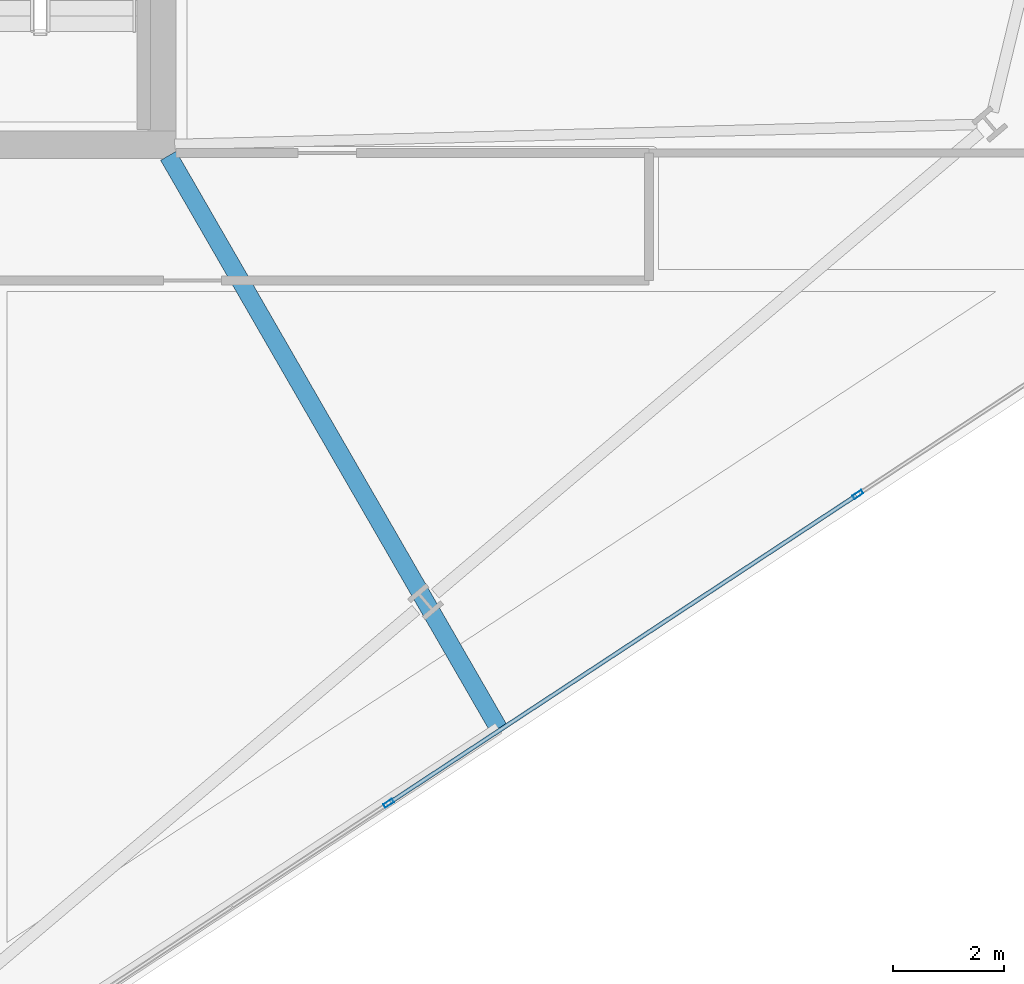
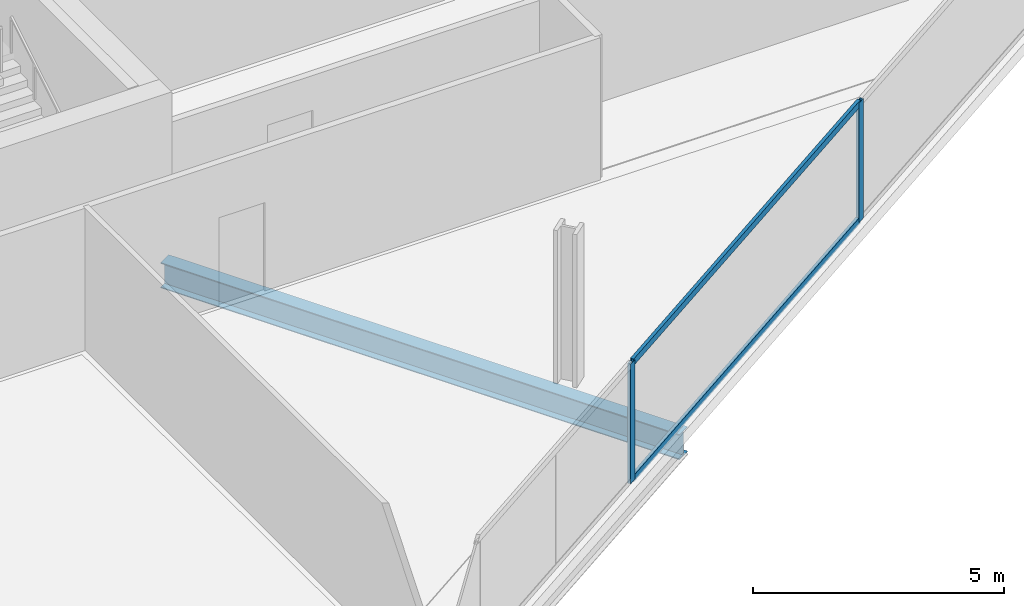
# One storey, part 8 of 29: 4 members, 1 beam, 1 element without a shape of its own.
"""IFC4 building model written with IfcOpenShell, lengths in metres."""

from ifc_helpers import new_model, si_unit, direction, frame, origin, origin_2d, place, context, subcontext, project, spatial, hollow_rectangle, i_section, extrude, material, material_profile, profile_set, type_object, element, aggregate, save


model = new_model("IFC4")

# Units and contexts
model_context = context("Model", 3, precision=1e-05, world=origin(), true_north=direction((0.0, 1.0)))
body_context = subcontext(model_context, "Body", "Model", "MODEL_VIEW")
ifc_project = project(units=[si_unit("LENGTHUNIT", "METRE"), si_unit("AREAUNIT", "SQUARE_METRE"), si_unit("VOLUMEUNIT", "CUBIC_METRE"), si_unit("PLANEANGLEUNIT", "RADIAN"), si_unit("MASSUNIT", "GRAM", prefix="KILO")], contexts=[model_context])

# Site, building, storey
site_placement = place(None, origin())
site = spatial("IfcSite", under=ifc_project, at=site_placement, CompositionType="ELEMENT")
building_placement = place(site_placement, origin())
building = spatial("IfcBuilding", under=site, at=building_placement, Name="Haldenkirk Collegiate Tower", CompositionType="ELEMENT")
storey_placement = place(building_placement, frame((0.0, 0.0, 140.699951171875)))
storey = spatial("IfcBuildingStorey", under=building, at=storey_placement, Name="L34", CompositionType="ELEMENT", Elevation=140.699951171875)

# Beam
ifc_material_1 = material(Name="Steel ASTM A992 Grade 50", Category="steel")
ifc_material_profile_1 = material_profile(ifc_material_1, i_section(OverallWidth=0.324951171875, OverallDepth=0.615966796875, WebThickness=0.013916015625, FlangeThickness=0.021484375, at=origin_2d()), Name="W24X117")
ifc_profile_set_1 = profile_set([ifc_material_profile_1], Name="Steel ASTM A992 Grade 50")
beam_type = type_object("IfcBeamType", Name="BM-GIRDER-W24X117", PredefinedType="BEAM", material=ifc_profile_set_1)
beam_placement = place(storey_placement, frame((51.080810546875, 7.457275390625, -0.597900390625), z_axis=(-0.499622738198, 0.866243106452, 0.0), x_axis=(-0.866243106452, -0.499622738198, 0.0)))
element("IfcBeam", 1, at=beam_placement, inside=storey, type_object=beam_type, Name="L34 primary floor girder 06", PredefinedType="BEAM", context=body_context, shape_type="SweptSolid", body=[
    extrude(i_section(OverallWidth=0.324951171875, OverallDepth=0.615966796875, WebThickness=0.013916015625, FlangeThickness=0.021484375, at=origin_2d()), origin(), (0.0, 0.0, 1.0), 11.940673828125),
])

# Curtain wall, members
ifc_material_2 = material(Name="Anodised architectural bronze aluminium", Category="aluminium")
curtain_wall_type = type_object("IfcCurtainWallType", Name="CW-SYS2-CONCAVE", PredefinedType="USERDEFINED", material=ifc_material_2)
curtain_wall_placement = place(storey_placement, origin())
curtain_wall = element("IfcCurtainWall", 2, at=curtain_wall_placement, inside=storey, type_object=curtain_wall_type, Name="L34 South concave recessed bronze-anodised curtain wall", ObjectType="UNITISED CURTAIN WALL", PredefinedType="USERDEFINED")
ifc_material_profile_2 = material_profile(ifc_material_2, hollow_rectangle(XDim=0.074951171875, YDim=0.18994140625, WallThickness=0.0048828125, at=origin_2d()), Name="CW-MUL-02")
ifc_profile_set_2 = profile_set([ifc_material_profile_2], Name="Anodised architectural bronze aluminium")
member_type_1 = type_object("IfcMemberType", Name="CW-MUL-02", PredefinedType="MULLION", material=ifc_profile_set_2)
member_1_placement = place(storey_placement, frame((57.57373046875, 11.6826171875, 0.0), z_axis=(0.0, 0.0, 1.0), x_axis=(0.549751618322, -0.835328173925, 0.0)))
member_1 = element("IfcMember", 3, at=member_1_placement, type_object=member_type_1, Name="CW-02 mullion 2", PredefinedType="MULLION", context=body_context, shape_type="SweptSolid", body=[
    extrude(hollow_rectangle(XDim=0.074951171875, YDim=0.18994140625, WallThickness=0.0048828125, at=origin_2d()), origin(), (0.0, 0.0, 1.0), 2.9111328125),
])
member_2_placement = place(storey_placement, frame((49.094970703125, 6.1025390625, 0.0), z_axis=(0.0, 0.0, 1.0), x_axis=(0.549751618322, -0.835328173925, 0.0)))
member_2 = element("IfcMember", 4, at=member_2_placement, type_object=member_type_1, Name="CW-02 mullion 3", PredefinedType="MULLION", context=body_context, shape_type="SweptSolid", body=[
    extrude(hollow_rectangle(XDim=0.074951171875, YDim=0.18994140625, WallThickness=0.0048828125, at=origin_2d()), origin(), (0.0, 0.0, 1.0), 2.9111328125),
])
ifc_material_profile_3 = material_profile(ifc_material_2, hollow_rectangle(XDim=0.074951171875, YDim=0.159912109375, WallThickness=0.0048828125, at=origin_2d()), Name="CW-TRN-02")
ifc_profile_set_3 = profile_set([ifc_material_profile_3], Name="Anodised architectural bronze aluminium")
member_type_2 = type_object("IfcMemberType", Name="CW-TRN-02", PredefinedType="USERDEFINED", material=ifc_profile_set_3)
member_3_placement = place(storey_placement, frame((57.542236328125, 11.661865234375, 0.03759765625), z_axis=(-0.835320150777, -0.549763809018, 0.0), x_axis=(0.549763809018, -0.835320150777, 0.0)))
member_3 = element("IfcMember", 5, at=member_3_placement, type_object=member_type_2, Name="CW-02 transom 2.1", ObjectType="TRANSOM", PredefinedType="USERDEFINED", context=body_context, shape_type="SweptSolid", body=[
    extrude(hollow_rectangle(XDim=0.074951171875, YDim=0.159912109375, WallThickness=0.0048828125, at=origin_2d()), origin(), (0.0, 0.0, 1.0), 10.074951171875),
])
member_4_placement = place(storey_placement, frame((57.542236328125, 11.661865234375, 2.87353515625), z_axis=(-0.835320150777, -0.549763809018, 0.0), x_axis=(0.549763809018, -0.835320150777, 0.0)))
member_4 = element("IfcMember", 6, at=member_4_placement, type_object=member_type_2, Name="CW-02 transom 2.2", ObjectType="TRANSOM", PredefinedType="USERDEFINED", context=body_context, shape_type="SweptSolid", body=[
    extrude(hollow_rectangle(XDim=0.074951171875, YDim=0.159912109375, WallThickness=0.0048828125, at=origin_2d()), origin(), (0.0, 0.0, 1.0), 10.074951171875),
])
aggregate(curtain_wall, [member_1, member_2, member_3, member_4])

save(model, "model.ifc")
